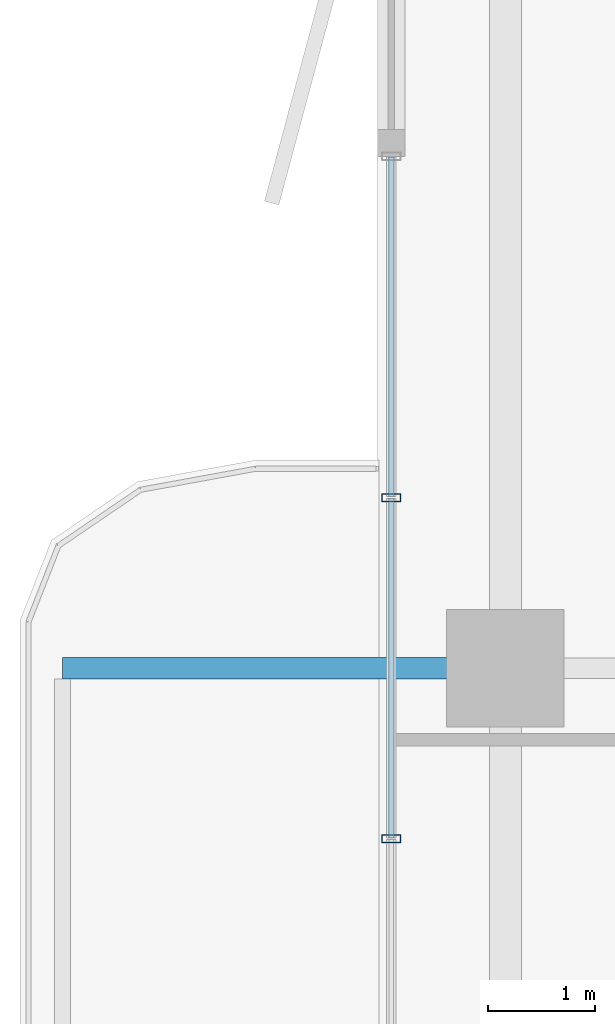
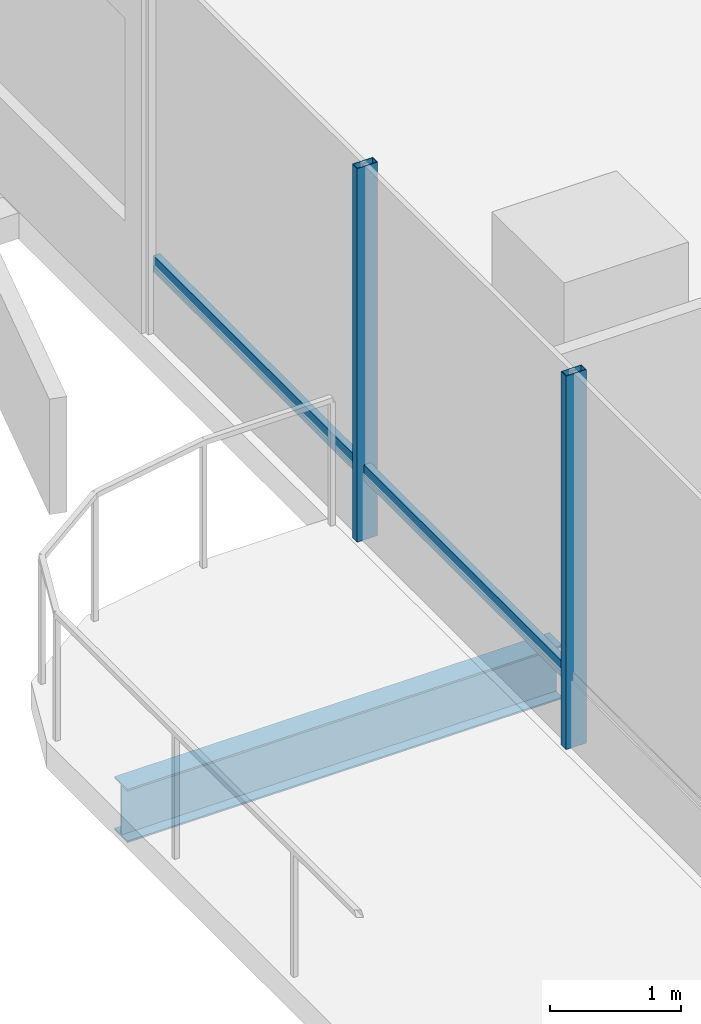
# One storey, part 6 of 24: 4 members, 1 beam, 1 element without a shape of its own.
"""IFC4 building model written with IfcOpenShell, lengths in metres."""

from ifc_helpers import new_model, si_unit, direction, frame, origin, origin_2d, place, context, subcontext, project, spatial, hollow_rectangle, i_section, extrude, material, layer, layer_set, material_profile, profile_set, type_object, element, aggregate, save


model = new_model("IFC4")

# Units and contexts
model_context = context("Model", 3, precision=1e-05, world=origin(), true_north=direction((0.0, 1.0)))
body_context = subcontext(model_context, "Body", "Model", "MODEL_VIEW")
ifc_project = project(units=[si_unit("LENGTHUNIT", "METRE"), si_unit("AREAUNIT", "SQUARE_METRE"), si_unit("VOLUMEUNIT", "CUBIC_METRE"), si_unit("PLANEANGLEUNIT", "RADIAN"), si_unit("MASSUNIT", "GRAM", prefix="KILO")], contexts=[model_context])

# Site, building, storey
site_placement = place(None, origin())
site = spatial("IfcSite", under=ifc_project, at=site_placement, CompositionType="ELEMENT")
building_placement = place(site_placement, origin())
building = spatial("IfcBuilding", under=site, at=building_placement, Name="Belovzor Exchange Tower", CompositionType="ELEMENT")
storey_placement = place(building_placement, frame((0.0, 0.0, 145.800048828125)))
storey = spatial("IfcBuildingStorey", under=building, at=storey_placement, Name="L35", CompositionType="ELEMENT", Elevation=145.800048828125)

# Beam
ifc_material_1 = material(Name="Steel S355", Category="steel")
ifc_material_profile_1 = material_profile(ifc_material_1, i_section(OverallWidth=0.199951171875, OverallDepth=0.5, WebThickness=0.01025390625, FlangeThickness=0.01611328125, at=origin_2d()))
ifc_profile_set_1 = profile_set([ifc_material_profile_1], Name="Steel S355")
beam_type = type_object("IfcBeamType", Name="Planted Balcony Cantilever Beam IPE 500", PredefinedType="BEAM", material=ifc_profile_set_1)
beam_placement = place(storey_placement, frame((5.39697265625, 28.800048828125, -0.505126953125), z_axis=(-1.0, 0.0, 0.0), x_axis=(0.0, -1.0, 0.0)))
element("IfcBeam", 1, at=beam_placement, inside=storey, type_object=beam_type, Name="BC-500 Planted Balcony Cantilever Beam IPE 500", PredefinedType="BEAM", context=body_context, shape_type="SweptSolid", body=[
    extrude(i_section(OverallWidth=0.199951171875, OverallDepth=0.5, WebThickness=0.01025390625, FlangeThickness=0.01611328125, at=origin_2d()), origin(), (0.0, 0.0, 1.0), 3.849853515625),
])

# Curtain wall, members
ifc_material_2 = material(Name="Anodised Aluminium Framing", Category="aluminium")
ifc_layer = layer(ifc_material_2, 0.179931640625)
ifc_layer_set = layer_set([ifc_layer], Name="Anodised Aluminium Framing")
curtain_wall_type = type_object("IfcCurtainWallType", Name="Recessed Loggia Low-Iron Triple-Glazed Curtain Wall", PredefinedType="NOTDEFINED", material=ifc_layer_set)
curtain_wall_placement = place(storey_placement, origin())
curtain_wall = element("IfcCurtainWall", 2, at=curtain_wall_placement, inside=storey, type_object=curtain_wall_type, Name="CW3 Recessed Loggia Low-Iron Triple-Glazed Curtain Wall L35", PredefinedType="NOTDEFINED")
ifc_material_3 = material(Name="Steel S355", Category="steel")
ifc_material_profile_2 = material_profile(ifc_material_3, hollow_rectangle(XDim=0.074951171875, YDim=0.179931640625, WallThickness=0.0048828125, at=origin_2d()))
ifc_profile_set_2 = profile_set([ifc_material_profile_2], Name="Steel S355")
member_type_1 = type_object("IfcMemberType", Name="Thermally Broken Curtain Wall Mullion 180x75", PredefinedType="MULLION", material=ifc_profile_set_2)
member_1_placement = place(storey_placement, frame((4.6298828125, 27.199951171875, 0.0), z_axis=(0.0, 0.0, 1.0), x_axis=(0.0, 1.0, 0.0)))
member_1 = element("IfcMember", 3, at=member_1_placement, type_object=member_type_1, Name="CW-M180 Curtain Wall Mullion 2", PredefinedType="MULLION", context=body_context, shape_type="SweptSolid", body=[
    extrude(hollow_rectangle(XDim=0.074951171875, YDim=0.179931640625, WallThickness=0.0048828125, at=origin_2d()), origin(), (0.0, 0.0, 1.0), 3.494873046875),
])
member_2_placement = place(storey_placement, frame((4.6298828125, 30.39990234375, 0.0), z_axis=(0.0, 0.0, 1.0), x_axis=(0.0, 1.0, 0.0)))
member_2 = element("IfcMember", 4, at=member_2_placement, type_object=member_type_1, Name="CW-M180 Curtain Wall Mullion 3", PredefinedType="MULLION", context=body_context, shape_type="SweptSolid", body=[
    extrude(hollow_rectangle(XDim=0.074951171875, YDim=0.179931640625, WallThickness=0.0048828125, at=origin_2d()), origin(), (0.0, 0.0, 1.0), 3.494873046875),
])
ifc_material_4 = material(Name="Steel S355", Category="steel")
ifc_material_profile_3 = material_profile(ifc_material_4, hollow_rectangle(XDim=0.06005859375, YDim=0.14990234375, WallThickness=0.00390625, at=origin_2d()))
ifc_profile_set_3 = profile_set([ifc_material_profile_3], Name="Steel S355")
member_type_2 = type_object("IfcMemberType", Name="Thermally Broken Curtain Wall Transom 150x60", PredefinedType="USERDEFINED", material=ifc_profile_set_3)
member_3_placement = place(storey_placement, frame((4.6298828125, 27.2080078125, 0.62890625), z_axis=(0.0, 1.0, 0.0), x_axis=(-1.0, 0.0, 0.0)))
member_3 = element("IfcMember", 5, at=member_3_placement, type_object=member_type_2, Name="CW-T150 Curtain Wall Transom 2", ObjectType="TRANSOM", PredefinedType="USERDEFINED", context=body_context, shape_type="SweptSolid", body=[
    extrude(hollow_rectangle(XDim=0.06005859375, YDim=0.14990234375, WallThickness=0.00390625, at=origin_2d()), origin(), (0.0, 0.0, 1.0), 3.18408203125),
])
member_4_placement = place(storey_placement, frame((4.6298828125, 30.407958984375, 0.62890625), z_axis=(0.0, 1.0, 0.0), x_axis=(-1.0, 0.0, 0.0)))
member_4 = element("IfcMember", 6, at=member_4_placement, type_object=member_type_2, Name="CW-T150 Curtain Wall Transom 3", ObjectType="TRANSOM", PredefinedType="USERDEFINED", context=body_context, shape_type="SweptSolid", body=[
    extrude(hollow_rectangle(XDim=0.06005859375, YDim=0.14990234375, WallThickness=0.00390625, at=origin_2d()), origin(), (0.0, 0.0, 1.0), 3.18408203125),
])
aggregate(curtain_wall, [member_1, member_2, member_3, member_4])

save(model, "model.ifc")
